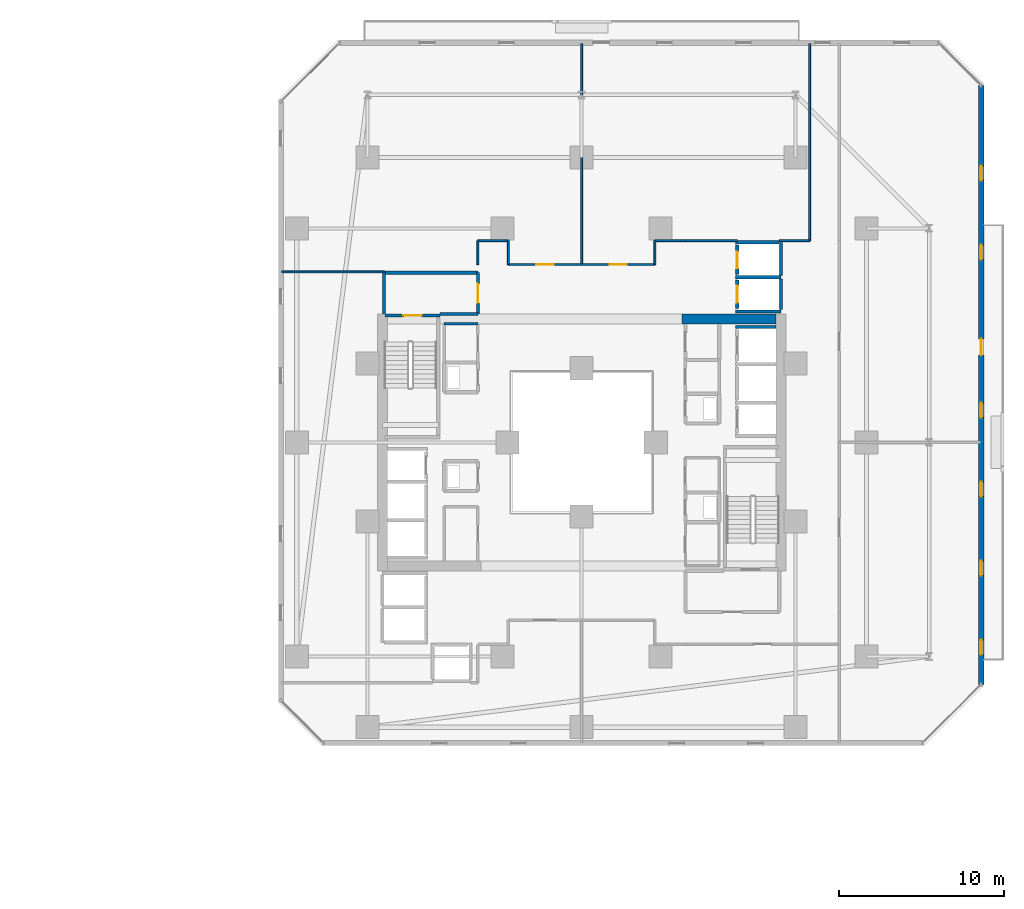
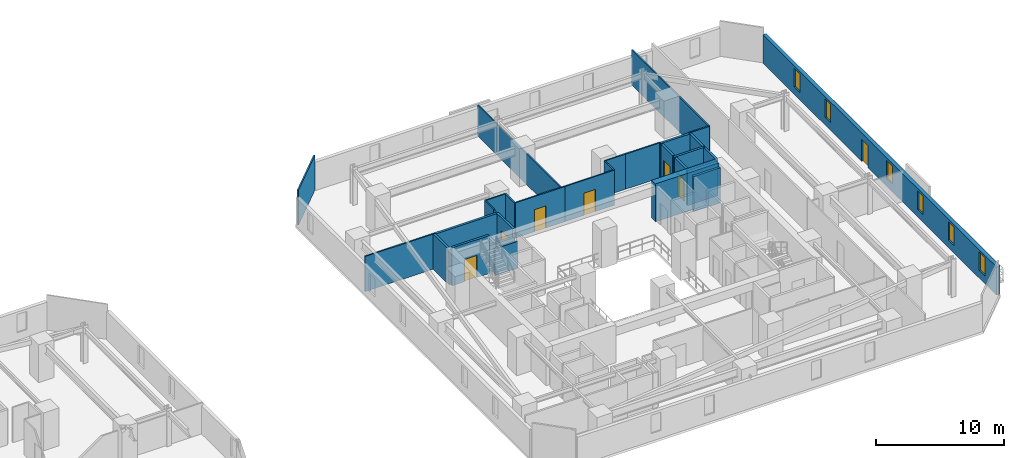
# One storey, part 26 of 34: 29 walls, 7 doors, 6 windows, 13 openings.
"""IFC4 building model written with IfcOpenShell, lengths in metres."""

from ifc_helpers import new_model, si_unit, direction, frame, frame_2d, origin, place, context, subcontext, project, spatial, rectangle, extrude, material, layer, layer_set, type_object, element, fill, save


model = new_model("IFC4")

# Units and contexts
model_context = context("Model", 3, precision=1e-05, world=origin(), true_north=direction((0.0, 1.0)))
body_context = subcontext(model_context, "Body", "Model", "MODEL_VIEW")
ifc_project = project(units=[si_unit("LENGTHUNIT", "METRE"), si_unit("AREAUNIT", "SQUARE_METRE"), si_unit("VOLUMEUNIT", "CUBIC_METRE"), si_unit("PLANEANGLEUNIT", "RADIAN"), si_unit("MASSUNIT", "GRAM", prefix="KILO")], contexts=[model_context])

# Site, building, storey
site_placement = place(None, origin())
site = spatial("IfcSite", under=ifc_project, at=site_placement, CompositionType="ELEMENT")
building_placement = place(site_placement, origin())
building = spatial("IfcBuilding", under=site, at=building_placement, Name="Thornwick Lancets Civic Towers", CompositionType="ELEMENT")
storey_placement = place(building_placement, frame((0.0, 0.0, 57.300048828125)))
storey = spatial("IfcBuildingStorey", under=building, at=storey_placement, Name="L14", CompositionType="ELEMENT", Elevation=57.300048828125)

# Wall, opening, door
ifc_material_1 = material(Name="Concrete blockwork C40/50", Category="masonry")
ifc_layer_1 = layer(ifc_material_1, 0.199951171875, Name="Concrete blockwork C40/50")
ifc_layer_set_1 = layer_set([ifc_layer_1], Name="Concrete blockwork C40/50")
wall_type_1 = type_object("IfcWallType", Name="WALL_COMP_200", PredefinedType="STANDARD", material=ifc_layer_set_1)
wall_1_placement = place(storey_placement, frame((97.949951171875, 36.8701171875, 0.0), z_axis=(0.0, 0.0, 1.0), x_axis=(0.0, -1.0, 0.0)))
wall_1 = element("IfcWall", 1, at=wall_1_placement, inside=storey, type_object=wall_type_1, Name="L14 Hoistway Front Wall PL-BL2", PredefinedType="STANDARD", context=body_context, shape_type="SweptSolid", body=[
    extrude(rectangle(XDim=1.740234375, YDim=0.199951171875, at=frame_2d((0.8701171875, 0.0))), origin(), (0.0, 0.0, 1.0), 3.33984375),
])
opening_1_placement = place(wall_1_placement, frame((0.360107421875, 0.0, 0.0)))
opening_1 = element("IfcOpeningElement", 2, at=opening_1_placement, cuts=wall_1, Name="Opening LD-PL-BL2", PredefinedType="OPENING", context=body_context, shape_type="SweptSolid", body=[
    extrude(rectangle(XDim=1.02001953125, YDim=2.06005859375, at=frame_2d((0.510009765625, 1.030029296875))), frame((0.0, 0.10986328125, 0.0), z_axis=(0.0, -1.0, 0.0), x_axis=(1.0, 0.0, 0.0)), (0.0, 0.0, 1.0), 0.219970703125),
])
ifc_material_2 = material(Name="Brushed bronze stainless steel", Category="steel")
door_type_1 = type_object("IfcDoorType", Name="DOOR_LIFT_SLIDE", OperationType="SLIDING_TO_LEFT", PredefinedType="DOOR", material=ifc_material_2)
door_1_placement = place(opening_1_placement, origin())
door_1 = element("IfcDoor", 3, at=door_1_placement, inside=storey, type_object=door_type_1, Name="L14 Sliding Lift Landing Door LD-PL-BL2", OperationType="SLIDING_TO_LEFT", OverallHeight=2.06005859375, OverallWidth=1.02001953125, PredefinedType="DOOR", context=body_context, shape_type="SweptSolid", body=[
    extrude(rectangle(XDim=1.02001953125, YDim=2.06005859375, at=frame_2d((0.510009765625, 1.030029296875))), frame((0.0, 0.02490234375, 0.0), z_axis=(0.0, -1.0, 0.0), x_axis=(1.0, 0.0, 0.0)), (0.0, 0.0, 1.0), 0.050048828125),
])
fill(opening_1, door_1)

wall_2_placement = place(storey_placement, frame((97.949951171875, 38.969970703125, 0.0), z_axis=(0.0, 0.0, 1.0), x_axis=(0.0, -1.0, 0.0)))
wall_2 = element("IfcWall", 4, at=wall_2_placement, inside=storey, type_object=wall_type_1, Name="L14 Hoistway Front Wall PL-BL3", PredefinedType="STANDARD", context=body_context, shape_type="SweptSolid", body=[
    extrude(rectangle(XDim=1.7900390625, YDim=0.199951171875, at=frame_2d((0.89501953125, 0.0))), origin(), (0.0, 0.0, 1.0), 3.33984375),
])
opening_2_placement = place(wall_2_placement, frame((0.385009765625, 0.0, 0.0)))
opening_2 = element("IfcOpeningElement", 5, at=opening_2_placement, cuts=wall_2, Name="Opening LD-PL-BL3", PredefinedType="OPENING", context=body_context, shape_type="SweptSolid", body=[
    extrude(rectangle(XDim=1.02001953125, YDim=2.06005859375, at=frame_2d((0.510009765625, 1.030029296875))), frame((0.0, 0.10986328125, 0.0), z_axis=(0.0, -1.0, 0.0), x_axis=(1.0, 0.0, 0.0)), (0.0, 0.0, 1.0), 0.219970703125),
])
door_2_placement = place(opening_2_placement, origin())
door_2 = element("IfcDoor", 6, at=door_2_placement, inside=storey, type_object=door_type_1, Name="L14 Sliding Lift Landing Door LD-PL-BL3", OperationType="SLIDING_TO_LEFT", OverallHeight=2.06005859375, OverallWidth=1.02001953125, PredefinedType="DOOR", context=body_context, shape_type="SweptSolid", body=[
    extrude(rectangle(XDim=1.02001953125, YDim=2.06005859375, at=frame_2d((0.510009765625, 1.030029296875))), frame((0.0, 0.02490234375, 0.0), z_axis=(0.0, -1.0, 0.0), x_axis=(1.0, 0.0, 0.0)), (0.0, 0.0, 1.0), 0.050048828125),
])
fill(opening_2, door_2)

# Walls
wall_3_placement = place(storey_placement, frame((97.85205078125, 34.0, 0.0), z_axis=(0.0, 0.0, 1.0), x_axis=(1.0, 0.0, 0.0)))
element("IfcWall", 7, at=wall_3_placement, inside=storey, type_object=wall_type_1, Name="L14 Hoistway Shaft Wall PL-BL1 N", PredefinedType="STANDARD", context=body_context, shape_type="SweptSolid", body=[
    extrude(rectangle(XDim=2.43603515625, YDim=0.199951171875, at=frame_2d((1.218017578125, 0.0))), origin(), (0.0, 0.0, 1.0), 3.33984375),
])
for number, where, z_axis, x_axis, name in (
    (8, (97.85205078125, 37.02490234375, 0.0), (0.0, 0.0, 1.0), (1.0, 0.0, 0.0), "L14 Hoistway Shaft Wall PL-BL2 N"),
    (9, (97.85205078125, 34.949951171875, 0.0), (0.0, 0.0, 1.0), (1.0, 0.0, 0.0), "L14 Hoistway Shaft Wall PL-BL2 S"),
):
    element("IfcWall", number, at=place(storey_placement, frame(where, z_axis=z_axis, x_axis=x_axis)), inside=storey, type_object=wall_type_1, Name=name, PredefinedType="STANDARD", context=body_context, shape_type="SweptSolid", body=[
        extrude(rectangle(XDim=2.745849609375, YDim=0.199951171875, at=frame_2d((1.373046875, 0.0))), origin(), (0.0, 0.0, 1.0), 3.33984375),
    ])
wall_4_placement = place(storey_placement, frame((100.60009765625, 35.06201171875, 0.0), z_axis=(0.0, 0.0, 1.0), x_axis=(0.0, 1.0, 0.0)))
element("IfcWall", 10, at=wall_4_placement, inside=storey, type_object=wall_type_1, Name="L14 Hoistway Shaft Wall PL-BL2 E", PredefinedType="STANDARD", context=body_context, shape_type="SweptSolid", body=[
    extrude(rectangle(XDim=1.85595703125, YDim=0.199951171875, at=frame_2d((0.927978515625, 0.0))), origin(), (0.0, 0.0, 1.0), 3.33984375),
])
wall_5_placement = place(storey_placement, frame((100.60009765625, 37.132080078125, 0.0), z_axis=(0.0, 0.0, 1.0), x_axis=(0.0, 1.0, 0.0)))
element("IfcWall", 11, at=wall_5_placement, inside=storey, type_object=wall_type_1, Name="L14 Hoistway Shaft Wall PL-BL2 E", PredefinedType="STANDARD", context=body_context, shape_type="SweptSolid", body=[
    extrude(rectangle(XDim=2.015869140625, YDim=0.199951171875, at=frame_2d((1.0078125, 0.0))), origin(), (0.0, 0.0, 1.0), 3.33984375),
])
wall_6_placement = place(storey_placement, frame((97.85205078125, 39.14990234375, 0.0), z_axis=(0.0, 0.0, 1.0), x_axis=(1.0, 0.0, 0.0)))
element("IfcWall", 12, at=wall_6_placement, inside=storey, type_object=wall_type_1, Name="L14 Hoistway Shaft Wall PL-BL3 N", PredefinedType="STANDARD", context=body_context, shape_type="SweptSolid", body=[
    extrude(rectangle(XDim=2.635986328125, YDim=0.199951171875, at=frame_2d((1.31787109375, 0.0))), origin(), (0.0, 0.0, 1.0), 3.33984375),
])
wall_7_placement = place(storey_placement, frame((79.89990234375, 34.800048828125, 0.0), z_axis=(0.0, 0.0, 1.0), x_axis=(1.0, 0.0, 0.0)))
element("IfcWall", 13, at=wall_7_placement, inside=storey, type_object=wall_type_1, Name="L14 Partition L14-B-FFLOB2 E1", PredefinedType="STANDARD", context=body_context, shape_type="SweptSolid", body=[
    extrude(rectangle(XDim=2.300048828125, YDim=0.199951171875, at=frame_2d((1.14990234375, 0.0))), origin(), (0.0, 0.0, 1.0), 2.544921875),
])

# Wall, opening, door
wall_8_placement = place(storey_placement, frame((82.199951171875, 34.800048828125, 0.0), z_axis=(0.0, 0.0, 1.0), x_axis=(0.0, 1.0, 0.0)))
wall_8 = element("IfcWall", 14, at=wall_8_placement, inside=storey, type_object=wall_type_1, Name="L14 Partition L14-B-FFLOB2 E2", PredefinedType="STANDARD", context=body_context, shape_type="SweptSolid", body=[
    extrude(rectangle(XDim=2.5, YDim=0.199951171875, at=frame_2d((1.25, 0.0))), origin(), (0.0, 0.0, 1.0), 3.33984375),
])
opening_3_placement = place(wall_8_placement, frame((0.675048828125, 0.0, 0.0)))
opening_3 = element("IfcOpeningElement", 15, at=opening_3_placement, cuts=wall_8, Name="Opening D-L14-0676", PredefinedType="OPENING", context=body_context, shape_type="SweptSolid", body=[
    extrude(rectangle(XDim=1.14990234375, YDim=2.10009765625, at=frame_2d((0.574951171875, 1.050048828125))), frame((0.0, 0.10986328125, 0.0), z_axis=(0.0, -1.0, 0.0), x_axis=(1.0, 0.0, 0.0)), (0.0, 0.0, 1.0), 0.219970703125),
])
ifc_material_3 = material(Name="Glazed fire-resisting steel", Category="steel")
door_type_2 = type_object("IfcDoorType", Name="DOOR_LOBBY_FD60", OperationType="NOTDEFINED", PredefinedType="DOOR", material=ifc_material_3)
door_3_placement = place(opening_3_placement, origin())
door_3 = element("IfcDoor", 16, at=door_3_placement, inside=storey, type_object=door_type_2, Name="L14 West Firefighting Lobby 2 Door", OperationType="SINGLE_SWING_LEFT", OverallHeight=2.10009765625, OverallWidth=1.14990234375, PredefinedType="DOOR", context=body_context, shape_type="SweptSolid", body=[
    extrude(rectangle(XDim=1.14990234375, YDim=2.10009765625, at=frame_2d((0.574951171875, 1.050048828125))), frame((0.0, 0.02490234375, 0.0), z_axis=(0.0, -1.0, 0.0), x_axis=(1.0, 0.0, 0.0)), (0.0, 0.0, 1.0), 0.050048828125),
])
fill(opening_3, door_3)

# Walls
wall_9_placement = place(storey_placement, frame((82.199951171875, 37.300048828125, 0.0), z_axis=(0.0, 0.0, 1.0), x_axis=(-1.0, 0.0, 0.0)))
element("IfcWall", 17, at=wall_9_placement, inside=storey, type_object=wall_type_1, Name="L14 Partition L14-B-FFLOB2 E3", PredefinedType="STANDARD", context=body_context, shape_type="SweptSolid", body=[
    extrude(rectangle(XDim=5.699951171875, YDim=0.199951171875, at=frame_2d((2.85009765625, 0.0))), origin(), (0.0, 0.0, 1.0), 3.33984375),
])
wall_10_placement = place(storey_placement, frame((76.5, 37.300048828125, 0.0), z_axis=(0.0, 0.0, 1.0), x_axis=(0.0, -1.0, 0.0)))
element("IfcWall", 18, at=wall_10_placement, inside=storey, type_object=wall_type_1, Name="L14 Partition L14-B-FFLOB2 E4", PredefinedType="STANDARD", context=body_context, shape_type="SweptSolid", body=[
    extrude(rectangle(XDim=2.5, YDim=0.199951171875, at=frame_2d((1.25, 0.0))), origin(), (0.0, 0.0, 1.0), 3.33984375),
])
ifc_material_4 = material(Name="Concrete C60/75", Category="concrete")
ifc_layer_2 = layer(ifc_material_4, 0.60009765625, Name="Concrete C60/75")
ifc_layer_set_2 = layer_set([ifc_layer_2], Name="Concrete C60/75")
wall_type_2 = type_object("IfcWallType", Name="WALL_CORE_600", PredefinedType="SHEAR", material=ifc_layer_set_2)
wall_11_placement = place(storey_placement, frame((94.60009765625, 34.5, 0.0), z_axis=(0.0, 0.0, 1.0), x_axis=(1.0, 0.0, 0.0)))
element("IfcWall", 19, at=wall_11_placement, inside=storey, type_object=wall_type_2, Name="L14 Split Core B1 Shear Wall N", PredefinedType="SHEAR", context=body_context, shape_type="SweptSolid", body=[
    extrude(rectangle(XDim=5.699951171875, YDim=0.60009765625, at=frame_2d((2.85009765625, 0.0))), origin(), (0.0, 0.0, 1.0), 3.599853515625),
])

# Wall, openings, door, windows
ifc_material_5 = material(Name="Insulated buff terracotta rainscreen on concrete C40/50", Category="masonry")
ifc_layer_3 = layer(ifc_material_5, 0.320068359375, Name="Insulated buff terracotta rainscreen on concrete C40/50")
ifc_layer_set_3 = layer_set([ifc_layer_3], Name="Insulated buff terracotta rainscreen on concrete C40/50")
wall_type_3 = type_object("IfcWallType", Name="WALL_EXT_TERRA_320", PredefinedType="STANDARD", material=ifc_layer_set_3)
wall_12_placement = place(storey_placement, frame((112.76171875, 12.297119140625, 0.0), z_axis=(0.0, 0.0, 1.0), x_axis=(8.7231344e-05, 0.999999996195, 0.0)))
wall_12 = element("IfcWall", 20, at=wall_12_placement, inside=storey, type_object=wall_type_3, Name="L14 Tower B Terracotta Facade Wall E2", PredefinedType="STANDARD", context=body_context, shape_type="SweptSolid", body=[
    extrude(rectangle(XDim=36.384033203125, YDim=0.320068359375, at=frame_2d((18.19189453125, 0.0))), origin(), (0.0, 0.0, 1.0), 2.699951171875),
])
opening_4_placement = place(wall_12_placement, frame((19.991943359375, 0.0, 0.0)))
opening_4 = element("IfcOpeningElement", 21, at=opening_4_placement, cuts=wall_12, Name="Opening D-BL-L14-BE", PredefinedType="OPENING", context=body_context, shape_type="SweptSolid", body=[
    extrude(rectangle(XDim=1.0, YDim=2.080078125, at=frame_2d((0.5, 1.0400390625))), frame((0.0, 0.169921875, 0.0), z_axis=(0.0, -1.0, 0.0), x_axis=(1.0, 0.0, 0.0)), (0.0, 0.0, 1.0), 0.340087890625),
])
opening_5_placement = place(wall_12_placement, frame((1.800048828125, 0.0, 0.719970703125)))
opening_5 = element("IfcOpeningElement", 22, at=opening_5_placement, cuts=wall_12, Name="Opening WL-01", PredefinedType="OPENING", context=body_context, shape_type="SweptSolid", body=[
    extrude(rectangle(XDim=0.89990234375, YDim=1.75, at=frame_2d((0.449951171875, 0.875))), frame((0.0, 0.169921875, 0.0), z_axis=(0.0, -1.0, 0.0), x_axis=(1.0, 0.0, 0.0)), (0.0, 0.0, 1.0), 0.340087890625),
])
opening_6_placement = place(wall_12_placement, frame((6.60009765625, 0.0, 0.719970703125)))
opening_6 = element("IfcOpeningElement", 23, at=opening_6_placement, cuts=wall_12, Name="Opening WL-01", PredefinedType="OPENING", context=body_context, shape_type="SweptSolid", body=[
    extrude(rectangle(XDim=0.89990234375, YDim=1.75, at=frame_2d((0.449951171875, 0.875))), frame((0.0, 0.169921875, 0.0), z_axis=(0.0, -1.0, 0.0), x_axis=(1.0, 0.0, 0.0)), (0.0, 0.0, 1.0), 0.340087890625),
])
opening_7_placement = place(wall_12_placement, frame((11.39990234375, 0.0, 0.719970703125)))
opening_7 = element("IfcOpeningElement", 24, at=opening_7_placement, cuts=wall_12, Name="Opening WL-01", PredefinedType="OPENING", context=body_context, shape_type="SweptSolid", body=[
    extrude(rectangle(XDim=0.89990234375, YDim=1.75, at=frame_2d((0.449951171875, 0.875))), frame((0.0, 0.169921875, 0.0), z_axis=(0.0, -1.0, 0.0), x_axis=(1.0, 0.0, 0.0)), (0.0, 0.0, 1.0), 0.340087890625),
])
opening_8_placement = place(wall_12_placement, frame((16.199951171875, 0.0, 0.719970703125)))
opening_8 = element("IfcOpeningElement", 25, at=opening_8_placement, cuts=wall_12, Name="Opening WL-01", PredefinedType="OPENING", context=body_context, shape_type="SweptSolid", body=[
    extrude(rectangle(XDim=0.89990234375, YDim=1.75, at=frame_2d((0.449951171875, 0.875))), frame((0.0, 0.169921875, 0.0), z_axis=(0.0, -1.0, 0.0), x_axis=(1.0, 0.0, 0.0)), (0.0, 0.0, 1.0), 0.340087890625),
])
opening_9_placement = place(wall_12_placement, frame((25.800048828125, 0.0, 0.719970703125)))
opening_9 = element("IfcOpeningElement", 26, at=opening_9_placement, cuts=wall_12, Name="Opening WL-01", PredefinedType="OPENING", context=body_context, shape_type="SweptSolid", body=[
    extrude(rectangle(XDim=0.89990234375, YDim=1.75, at=frame_2d((0.449951171875, 0.875))), frame((0.0, 0.169921875, 0.0), z_axis=(0.0, -1.0, 0.0), x_axis=(1.0, 0.0, 0.0)), (0.0, 0.0, 1.0), 0.340087890625),
])
opening_10_placement = place(wall_12_placement, frame((30.60009765625, 0.0, 0.719970703125)))
opening_10 = element("IfcOpeningElement", 27, at=opening_10_placement, cuts=wall_12, Name="Opening WL-01", PredefinedType="OPENING", context=body_context, shape_type="SweptSolid", body=[
    extrude(rectangle(XDim=0.89990234375, YDim=1.75, at=frame_2d((0.449951171875, 0.875))), frame((0.0, 0.169921875, 0.0), z_axis=(0.0, -1.0, 0.0), x_axis=(1.0, 0.0, 0.0)), (0.0, 0.0, 1.0), 0.340087890625),
])
ifc_material_6 = material(Name="Thermally broken glazed loggia doorset")
door_type_3 = type_object("IfcDoorType", Name="DOOR_BALC_1000", OperationType="NOTDEFINED", PredefinedType="DOOR", material=ifc_material_6)
door_4_placement = place(opening_4_placement, origin())
door_4 = element("IfcDoor", 28, at=door_4_placement, inside=storey, type_object=door_type_3, Name="L14 Tower B Loggia Balcony Door E", OperationType="SINGLE_SWING_LEFT", OverallHeight=2.080078125, OverallWidth=1.0, PredefinedType="DOOR", context=body_context, shape_type="SweptSolid", body=[
    extrude(rectangle(XDim=1.0, YDim=2.080078125, at=frame_2d((0.5, 1.0400390625))), frame((0.0, 0.02490234375, 0.0), z_axis=(0.0, -1.0, 0.0), x_axis=(1.0, 0.0, 0.0)), (0.0, 0.0, 1.0), 0.050048828125),
])
fill(opening_4, door_4)
ifc_material_7 = material(Name="Clear low-e double glazing in bronze frame", Category="glass")
window_type = type_object("IfcWindowType", Name="WIN_LANCET_900", PartitioningType="SINGLE_PANEL", PredefinedType="WINDOW", material=ifc_material_7)
window_1_placement = place(opening_5_placement, origin())
window_1 = element("IfcWindow", 29, at=window_1_placement, inside=storey, type_object=window_type, Name="L14 Tower B Staggered Lancet Window E2-1", OverallHeight=1.75, OverallWidth=0.89990234375, PartitioningType="SINGLE_PANEL", PredefinedType="WINDOW", context=body_context, shape_type="SweptSolid", body=[
    extrude(rectangle(XDim=0.89990234375, YDim=1.75, at=frame_2d((0.449951171875, 0.875))), frame((0.0, 0.030029296875, 0.0), z_axis=(0.0, -1.0, 0.0), x_axis=(1.0, 0.0, 0.0)), (0.0, 0.0, 1.0), 0.06005859375),
])
fill(opening_5, window_1)
window_2_placement = place(opening_6_placement, origin())
window_2 = element("IfcWindow", 30, at=window_2_placement, inside=storey, type_object=window_type, Name="L14 Tower B Staggered Lancet Window E2-2", OverallHeight=1.75, OverallWidth=0.89990234375, PartitioningType="SINGLE_PANEL", PredefinedType="WINDOW", context=body_context, shape_type="SweptSolid", body=[
    extrude(rectangle(XDim=0.89990234375, YDim=1.75, at=frame_2d((0.449951171875, 0.875))), frame((0.0, 0.030029296875, 0.0), z_axis=(0.0, -1.0, 0.0), x_axis=(1.0, 0.0, 0.0)), (0.0, 0.0, 1.0), 0.06005859375),
])
fill(opening_6, window_2)
window_3_placement = place(opening_7_placement, origin())
window_3 = element("IfcWindow", 31, at=window_3_placement, inside=storey, type_object=window_type, Name="L14 Tower B Staggered Lancet Window E2-3", OverallHeight=1.75, OverallWidth=0.89990234375, PartitioningType="SINGLE_PANEL", PredefinedType="WINDOW", context=body_context, shape_type="SweptSolid", body=[
    extrude(rectangle(XDim=0.89990234375, YDim=1.75, at=frame_2d((0.449951171875, 0.875))), frame((0.0, 0.030029296875, 0.0), z_axis=(0.0, -1.0, 0.0), x_axis=(1.0, 0.0, 0.0)), (0.0, 0.0, 1.0), 0.06005859375),
])
fill(opening_7, window_3)
window_4_placement = place(opening_8_placement, origin())
window_4 = element("IfcWindow", 32, at=window_4_placement, inside=storey, type_object=window_type, Name="L14 Tower B Staggered Lancet Window E2-4", OverallHeight=1.75, OverallWidth=0.89990234375, PartitioningType="SINGLE_PANEL", PredefinedType="WINDOW", context=body_context, shape_type="SweptSolid", body=[
    extrude(rectangle(XDim=0.89990234375, YDim=1.75, at=frame_2d((0.449951171875, 0.875))), frame((0.0, 0.030029296875, 0.0), z_axis=(0.0, -1.0, 0.0), x_axis=(1.0, 0.0, 0.0)), (0.0, 0.0, 1.0), 0.06005859375),
])
fill(opening_8, window_4)
window_5_placement = place(opening_9_placement, origin())
window_5 = element("IfcWindow", 33, at=window_5_placement, inside=storey, type_object=window_type, Name="L14 Tower B Staggered Lancet Window E2-5", OverallHeight=1.75, OverallWidth=0.89990234375, PartitioningType="SINGLE_PANEL", PredefinedType="WINDOW", context=body_context, shape_type="SweptSolid", body=[
    extrude(rectangle(XDim=0.89990234375, YDim=1.75, at=frame_2d((0.449951171875, 0.875))), frame((0.0, 0.030029296875, 0.0), z_axis=(0.0, -1.0, 0.0), x_axis=(1.0, 0.0, 0.0)), (0.0, 0.0, 1.0), 0.06005859375),
])
fill(opening_9, window_5)
window_6_placement = place(opening_10_placement, origin())
window_6 = element("IfcWindow", 34, at=window_6_placement, inside=storey, type_object=window_type, Name="L14 Tower B Staggered Lancet Window E2-6", OverallHeight=1.75, OverallWidth=0.89990234375, PartitioningType="SINGLE_PANEL", PredefinedType="WINDOW", context=body_context, shape_type="SweptSolid", body=[
    extrude(rectangle(XDim=0.89990234375, YDim=1.75, at=frame_2d((0.449951171875, 0.875))), frame((0.0, 0.030029296875, 0.0), z_axis=(0.0, -1.0, 0.0), x_axis=(1.0, 0.0, 0.0)), (0.0, 0.0, 1.0), 0.06005859375),
])
fill(opening_10, window_6)

# Walls
ifc_material_8 = material(Name="Acoustic gypsum board partition")
ifc_layer_4 = layer(ifc_material_8, 0.1201171875, Name="Acoustic gypsum board partition")
ifc_layer_set_4 = layer_set([ifc_layer_4], Name="Acoustic gypsum board partition")
wall_type_4 = type_object("IfcWallType", Name="WALL_PART_120", PredefinedType="PARTITIONING", material=ifc_layer_set_4)
wall_13_placement = place(storey_placement, frame((97.949951171875, 39.25, 0.0), z_axis=(0.0, 0.0, 1.0), x_axis=(-1.0, 0.0, 0.0)))
element("IfcWall", 35, at=wall_13_placement, inside=storey, type_object=wall_type_4, Name="L14 Partition L14-B-E1 E1", PredefinedType="PARTITIONING", context=body_context, shape_type="SweptSolid", body=[
    extrude(rectangle(XDim=3.14990234375, YDim=0.1201171875, at=frame_2d((1.574951171875, 0.0))), origin(), (0.0, 0.0, 1.0), 3.33984375),
])
wall_14_placement = place(storey_placement, frame((94.800048828125, 39.25, 0.0), z_axis=(0.0, 0.0, 1.0), x_axis=(-1.0, 0.0, 0.0)))
element("IfcWall", 36, at=wall_14_placement, inside=storey, type_object=wall_type_4, Name="L14 Partition L14-B-E1 E2", PredefinedType="PARTITIONING", context=body_context, shape_type="SweptSolid", body=[
    extrude(rectangle(XDim=1.85009765625, YDim=0.1201171875, at=frame_2d((0.925048828125, 0.0))), origin(), (0.0, 0.0, 1.0), 3.33984375),
])
wall_15_placement = place(storey_placement, frame((92.949951171875, 39.25, 0.0), z_axis=(0.0, 0.0, 1.0), x_axis=(0.0, -1.0, 0.0)))
element("IfcWall", 37, at=wall_15_placement, inside=storey, type_object=wall_type_4, Name="L14 Partition L14-B-E1 E3", PredefinedType="PARTITIONING", context=body_context, shape_type="SweptSolid", body=[
    extrude(rectangle(XDim=1.449951171875, YDim=0.1201171875, at=frame_2d((0.72509765625, 0.0))), origin(), (0.0, 0.0, 1.0), 3.33984375),
])

# Wall, opening, door
wall_16_placement = place(storey_placement, frame((92.949951171875, 37.800048828125, 0.0), z_axis=(0.0, 0.0, 1.0), x_axis=(-1.0, 0.0, 0.0)))
wall_16 = element("IfcWall", 38, at=wall_16_placement, inside=storey, type_object=wall_type_4, Name="L14 Partition L14-B-E1 E4", PredefinedType="PARTITIONING", context=body_context, shape_type="SweptSolid", body=[
    extrude(rectangle(XDim=4.449951171875, YDim=0.1201171875, at=frame_2d((2.22509765625, 0.0))), origin(), (0.0, 0.0, 1.0), 3.33984375),
])
opening_11_placement = place(wall_16_placement, frame((1.699951171875, 0.0, 0.0)))
opening_11 = element("IfcOpeningElement", 39, at=opening_11_placement, cuts=wall_16, Name="Opening D-L14-0695", PredefinedType="OPENING", context=body_context, shape_type="SweptSolid", body=[
    extrude(rectangle(XDim=1.050048828125, YDim=2.10009765625, at=frame_2d((0.52490234375, 1.050048828125))), frame((0.0, 0.070068359375, 0.0), z_axis=(0.0, -1.0, 0.0), x_axis=(1.0, 0.0, 0.0)), (0.0, 0.0, 1.0), 0.14013671875),
])
ifc_material_9 = material(Name="Glazed European oak executive doorset")
door_type_4 = type_object("IfcDoorType", Name="DOOR_OFFICE_1050", OperationType="NOTDEFINED", PredefinedType="DOOR", material=ifc_material_9)
door_5_placement = place(opening_11_placement, origin())
door_5 = element("IfcDoor", 40, at=door_5_placement, inside=storey, type_object=door_type_4, Name="L14 Tower B Secretariat Open Office E1 Door", OperationType="SINGLE_SWING_RIGHT", OverallHeight=2.10009765625, OverallWidth=1.050048828125, PredefinedType="DOOR", context=body_context, shape_type="SweptSolid", body=[
    extrude(rectangle(XDim=1.050048828125, YDim=2.10009765625, at=frame_2d((0.52490234375, 1.050048828125))), frame((0.0, 0.02490234375, 0.0), z_axis=(0.0, -1.0, 0.0), x_axis=(1.0, 0.0, 0.0)), (0.0, 0.0, 1.0), 0.050048828125),
])
fill(opening_11, door_5)

# Walls
wall_17_placement = place(storey_placement, frame((88.5, 37.800048828125, 0.0), z_axis=(0.0, 0.0, 1.0), x_axis=(0.0, 1.0, 0.0)))
element("IfcWall", 41, at=wall_17_placement, inside=storey, type_object=wall_type_4, Name="L14 Partition L14-B-E1 E5", PredefinedType="PARTITIONING", context=body_context, shape_type="SweptSolid", body=[
    extrude(rectangle(XDim=13.419921875, YDim=0.1201171875, at=frame_2d((6.7099609375, 0.0))), origin(), (0.0, 0.0, 1.0), 2.93212890625),
])
wall_18_placement = place(storey_placement, frame((102.35009765625, 51.219970703125, 0.0), z_axis=(0.0, 0.0, 1.0), x_axis=(0.0, -1.0, 0.0)))
element("IfcWall", 42, at=wall_18_placement, inside=storey, type_object=wall_type_4, Name="L14 Partition L14-B-E1 E7", PredefinedType="PARTITIONING", context=body_context, shape_type="SweptSolid", body=[
    extrude(rectangle(XDim=11.969970703125, YDim=0.1201171875, at=frame_2d((5.98486328125, 0.0))), origin(), (0.0, 0.0, 1.0), 3.33984375),
])
wall_19_placement = place(storey_placement, frame((102.35009765625, 39.25, 0.0), z_axis=(0.0, 0.0, 1.0), x_axis=(-1.0, 0.0, 0.0)))
element("IfcWall", 43, at=wall_19_placement, inside=storey, type_object=wall_type_4, Name="L14 Partition L14-B-E1 E8", PredefinedType="PARTITIONING", context=body_context, shape_type="SweptSolid", body=[
    extrude(rectangle(XDim=1.862060546875, YDim=0.1201171875, at=frame_2d((0.93115234375, 0.0))), origin(), (0.0, 0.0, 1.0), 3.33984375),
])
wall_20_placement = place(storey_placement, frame((84.050048828125, 37.800048828125, 0.0), z_axis=(0.0, 0.0, 1.0), x_axis=(0.0, 1.0, 0.0)))
element("IfcWall", 44, at=wall_20_placement, inside=storey, type_object=wall_type_4, Name="L14 Partition L14-B-E2 E1", PredefinedType="PARTITIONING", context=body_context, shape_type="SweptSolid", body=[
    extrude(rectangle(XDim=1.449951171875, YDim=0.1201171875, at=frame_2d((0.72509765625, 0.0))), origin(), (0.0, 0.0, 1.0), 3.33984375),
])
wall_21_placement = place(storey_placement, frame((84.050048828125, 39.25, 0.0), z_axis=(0.0, 0.0, 1.0), x_axis=(-1.0, 0.0, 0.0)))
element("IfcWall", 45, at=wall_21_placement, inside=storey, type_object=wall_type_4, Name="L14 Partition L14-B-E2 E2", PredefinedType="PARTITIONING", context=body_context, shape_type="SweptSolid", body=[
    extrude(rectangle(XDim=1.85009765625, YDim=0.1201171875, at=frame_2d((0.925048828125, 0.0))), origin(), (0.0, 0.0, 1.0), 3.33984375),
])
wall_22_placement = place(storey_placement, frame((82.199951171875, 39.25, 0.0), z_axis=(0.0, 0.0, 1.0), x_axis=(0.0, -1.0, 0.0)))
element("IfcWall", 46, at=wall_22_placement, inside=storey, type_object=wall_type_4, Name="L14 Partition L14-B-E2 E3", PredefinedType="PARTITIONING", context=body_context, shape_type="SweptSolid", body=[
    extrude(rectangle(XDim=1.449951171875, YDim=0.1201171875, at=frame_2d((0.72509765625, 0.0))), origin(), (0.0, 0.0, 1.0), 3.33984375),
])
wall_23_placement = place(storey_placement, frame((76.5, 37.35009765625, 0.0), z_axis=(0.0, 0.0, 1.0), x_axis=(-1.0, 0.0, 0.0)))
element("IfcWall", 47, at=wall_23_placement, inside=storey, type_object=wall_type_4, Name="L14 Partition L14-B-E2 E5", PredefinedType="PARTITIONING", context=body_context, shape_type="SweptSolid", body=[
    extrude(rectangle(XDim=6.219970703125, YDim=0.1201171875, at=frame_2d((3.10986328125, 0.0))), origin(), (0.0, 0.0, 1.0), 3.33984375),
])
wall_24_placement = place(storey_placement, frame((70.280029296875, 47.743408203125, 0.0), z_axis=(0.0, 0.0, 1.0), x_axis=(0.707106781187, 0.707106781187, 0.0)))
element("IfcWall", 48, at=wall_24_placement, inside=storey, type_object=wall_type_4, Name="L14 Partition L14-B-E2 E7", PredefinedType="PARTITIONING", context=body_context, shape_type="SweptSolid", body=[
    extrude(rectangle(XDim=4.91650390625, YDim=0.1201171875, at=frame_2d((2.458251953125, 0.0))), origin(), (0.0, 0.0, 1.0), 3.33984375),
])

# Wall, opening, door
wall_25_placement = place(storey_placement, frame((88.5, 37.800048828125, 0.0), z_axis=(0.0, 0.0, 1.0), x_axis=(-1.0, 0.0, 0.0)))
wall_25 = element("IfcWall", 49, at=wall_25_placement, inside=storey, type_object=wall_type_4, Name="L14 Partition L14-B-E2 E10", PredefinedType="PARTITIONING", context=body_context, shape_type="SweptSolid", body=[
    extrude(rectangle(XDim=4.449951171875, YDim=0.1201171875, at=frame_2d((2.22509765625, 0.0))), origin(), (0.0, 0.0, 1.0), 3.33984375),
])
opening_12_placement = place(wall_25_placement, frame((1.699951171875, 0.0, 0.0)))
opening_12 = element("IfcOpeningElement", 50, at=opening_12_placement, cuts=wall_25, Name="Opening D-L14-0696", PredefinedType="OPENING", context=body_context, shape_type="SweptSolid", body=[
    extrude(rectangle(XDim=1.050048828125, YDim=2.10009765625, at=frame_2d((0.52490234375, 1.050048828125))), frame((0.0, 0.070068359375, 0.0), z_axis=(0.0, -1.0, 0.0), x_axis=(1.0, 0.0, 0.0)), (0.0, 0.0, 1.0), 0.14013671875),
])
door_6_placement = place(opening_12_placement, origin())
door_6 = element("IfcDoor", 51, at=door_6_placement, inside=storey, type_object=door_type_4, Name="L14 Tower B Visitors Reception and Waiting Door", OperationType="SINGLE_SWING_LEFT", OverallHeight=2.10009765625, OverallWidth=1.050048828125, PredefinedType="DOOR", context=body_context, shape_type="SweptSolid", body=[
    extrude(rectangle(XDim=1.050048828125, YDim=2.10009765625, at=frame_2d((0.52490234375, 1.050048828125))), frame((0.0, 0.02490234375, 0.0), z_axis=(0.0, -1.0, 0.0), x_axis=(1.0, 0.0, 0.0)), (0.0, 0.0, 1.0), 0.050048828125),
])
fill(opening_12, door_6)

# Wall
ifc_material_10 = material(Name="Twin-stud acoustic gypsum board")
ifc_layer_5 = layer(ifc_material_10, 0.14990234375, Name="Twin-stud acoustic gypsum board")
ifc_layer_set_5 = layer_set([ifc_layer_5], Name="Twin-stud acoustic gypsum board")
wall_type_5 = type_object("IfcWallType", Name="WALL_PART_150", PredefinedType="PARTITIONING", material=ifc_layer_set_5)
wall_26_placement = place(storey_placement, frame((80.14990234375, 34.199951171875, 0.0), z_axis=(0.0, 0.0, 1.0), x_axis=(1.0, 0.0, 0.0)))
element("IfcWall", 52, at=wall_26_placement, inside=storey, type_object=wall_type_5, Name="L14 Partition L14-B-FWC E2", PredefinedType="PARTITIONING", context=body_context, shape_type="SweptSolid", body=[
    extrude(rectangle(XDim=2.050048828125, YDim=0.14990234375, at=frame_2d((1.02490234375, 0.0))), origin(), (0.0, 0.0, 1.0), 2.544921875),
])

# Wall, opening, door
ifc_material_11 = material(Name="Concrete C40/50", Category="concrete")
ifc_layer_6 = layer(ifc_material_11, 0.199951171875, Name="Concrete C40/50")
ifc_layer_set_6 = layer_set([ifc_layer_6], Name="Concrete C40/50")
wall_type_6 = type_object("IfcWallType", Name="WALL_SHAFT_200", PredefinedType="SHEAR", material=ifc_layer_set_6)
wall_27_placement = place(storey_placement, frame((76.550048828125, 34.699951171875, 0.0), z_axis=(0.0, 0.0, 1.0), x_axis=(1.0, 0.0, 0.0)))
wall_27 = element("IfcWall", 53, at=wall_27_placement, inside=storey, type_object=wall_type_6, Name="L14 ST-B2 Fire Stair Core Wall NEAR", PredefinedType="SHEAR", context=body_context, shape_type="SweptSolid", body=[
    extrude(rectangle(XDim=3.349853515625, YDim=0.199951171875, at=frame_2d((1.6748046875, 0.0))), origin(), (0.0, 0.0, 1.0), 3.599853515625),
])
opening_13_placement = place(wall_27_placement, frame((1.125, 0.0, 0.0)))
opening_13 = element("IfcOpeningElement", 54, at=opening_13_placement, cuts=wall_27, Name="Opening D-ST-B2-L14", PredefinedType="OPENING", context=body_context, shape_type="SweptSolid", body=[
    extrude(rectangle(XDim=1.10009765625, YDim=2.10009765625, at=frame_2d((0.550048828125, 1.050048828125))), frame((0.0, 0.10986328125, 0.0), z_axis=(0.0, -1.0, 0.0), x_axis=(1.0, 0.0, 0.0)), (0.0, 0.0, 1.0), 0.219970703125),
])
ifc_material_12 = material(Name="Fire-resisting steel and hardwood", Category="steel")
door_type_5 = type_object("IfcDoorType", Name="DOOR_STAIR_FD60", OperationType="NOTDEFINED", PredefinedType="DOOR", material=ifc_material_12)
door_7_placement = place(opening_13_placement, origin())
door_7 = element("IfcDoor", 55, at=door_7_placement, inside=storey, type_object=door_type_5, Name="L14 ST-B2 Exit Stair Door", OperationType="SINGLE_SWING_LEFT", OverallHeight=2.10009765625, OverallWidth=1.10009765625, PredefinedType="DOOR", context=body_context, shape_type="SweptSolid", body=[
    extrude(rectangle(XDim=1.10009765625, YDim=2.10009765625, at=frame_2d((0.550048828125, 1.050048828125))), frame((0.0, 0.02490234375, 0.0), z_axis=(0.0, -1.0, 0.0), x_axis=(1.0, 0.0, 0.0)), (0.0, 0.0, 1.0), 0.050048828125),
])
fill(opening_13, door_7)

save(model, "model.ifc")
